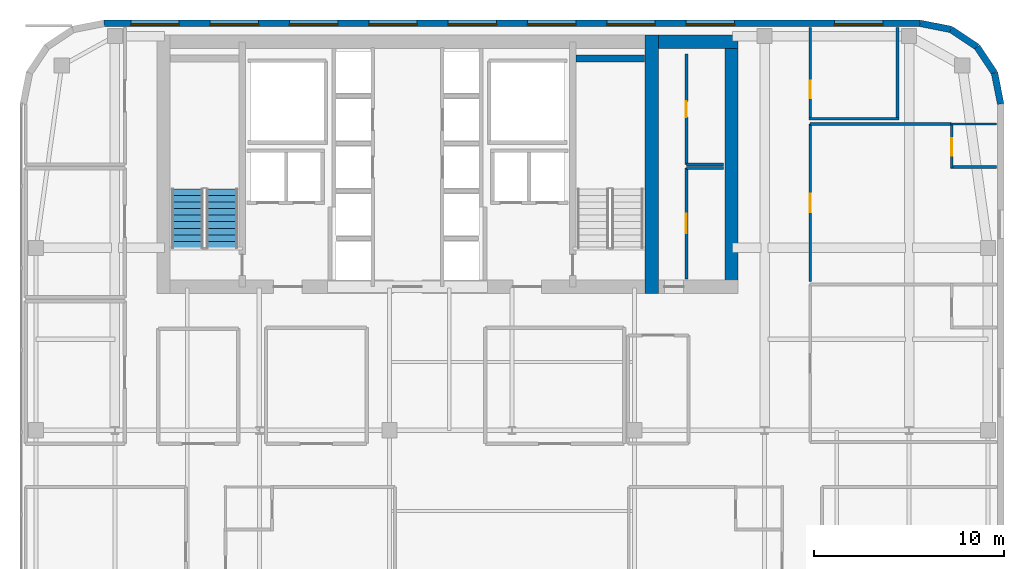
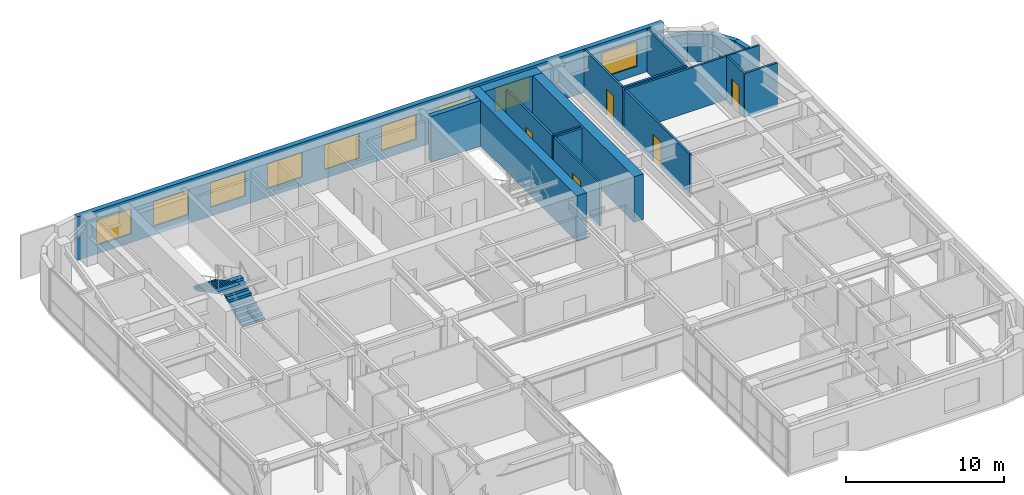
# One storey, part 22 of 24: 21 walls, 9 windows, 5 doors, 2 stair flights, 14 openings, 1 element without a shape of its own.
"""IFC4 building model written with IfcOpenShell, lengths in metres."""

from ifc_helpers import new_model, si_unit, direction, frame, frame_2d, origin, place, context, subcontext, project, spatial, polyline, rectangle, outline, extrude, source, transform, mapped, material, layer, layer_set, type_object, type_shapes, element, fill, aggregate, save


model = new_model("IFC4")

# Units and contexts
model_context = context("Model", 3, precision=1e-05, world=origin(), true_north=direction((0.0, 1.0)))
body_context = subcontext(model_context, "Body", "Model", "MODEL_VIEW")
ifc_project = project(units=[si_unit("LENGTHUNIT", "METRE"), si_unit("AREAUNIT", "SQUARE_METRE"), si_unit("VOLUMEUNIT", "CUBIC_METRE"), si_unit("PLANEANGLEUNIT", "RADIAN"), si_unit("MASSUNIT", "GRAM", prefix="KILO")], contexts=[model_context])

# Site, building, storey
site_placement = place(None, origin())
site = spatial("IfcSite", under=ifc_project, at=site_placement, CompositionType="ELEMENT")
building_placement = place(site_placement, origin())
building = spatial("IfcBuilding", under=site, at=building_placement, Name="Tolvann Quenvar Hotel", CompositionType="ELEMENT")
storey_placement = place(building_placement, frame((0.0, 0.0, 194.64990234375)))
storey = spatial("IfcBuildingStorey", under=building, at=storey_placement, Name="L51", CompositionType="ELEMENT", Elevation=194.64990234375)

# Walls
ifc_material_1 = material(Name="Concrete S65 (65 MPa)", Category="concrete")
ifc_layer_1 = layer(ifc_material_1, 0.699951171875)
ifc_layer_set_1 = layer_set([ifc_layer_1], Name="Concrete S65 (65 MPa)")
wall_type_1 = type_object("IfcWallType", Name="WALL_CORE_700", PredefinedType="SHEAR", material=ifc_layer_set_1)
wall_1_placement = place(storey_placement, frame((35.85009765625, 31.60009765625, 0.0), z_axis=(0.0, 0.0, 1.0), x_axis=(0.0, 1.0, 0.0)))
element("IfcWall", 1, at=wall_1_placement, inside=storey, type_object=wall_type_1, Name="Rear Core E Shear Wall (L51)", PredefinedType="SHEAR", context=body_context, shape_type="SweptSolid", body=[
    extrude(rectangle(XDim=13.599853515625, YDim=0.699951171875, at=frame_2d((6.7998046875, 0.0))), origin(), (0.0, 0.0, 1.0), 3.550048828125),
])
wall_2_placement = place(storey_placement, frame((36.199951171875, 44.85009765625, 0.0), z_axis=(0.0, 0.0, 1.0), x_axis=(1.0, 0.0, 0.0)))
element("IfcWall", 2, at=wall_2_placement, inside=storey, type_object=wall_type_1, Name="Core East Annex Shear Wall ANN-N (L51)", PredefinedType="SHEAR", context=body_context, shape_type="SweptSolid", body=[
    extrude(rectangle(XDim=4.199951171875, YDim=0.699951171875, at=frame_2d((2.10009765625, 0.0))), origin(), (0.0, 0.0, 1.0), 3.550048828125),
])
wall_3_placement = place(storey_placement, frame((40.050048828125, 31.60009765625, 0.0), z_axis=(0.0, 0.0, 1.0), x_axis=(0.0, 1.0, 0.0)))
element("IfcWall", 3, at=wall_3_placement, inside=storey, type_object=wall_type_1, Name="Core East Annex Shear Wall ANN-E (L51)", PredefinedType="SHEAR", context=body_context, shape_type="SweptSolid", body=[
    extrude(rectangle(XDim=13.599853515625, YDim=0.699951171875, at=frame_2d((6.7998046875, 0.0))), origin(), (0.0, 0.0, 1.0), 3.550048828125),
])
ifc_layer_2 = layer(ifc_material_1, 0.35009765625)
ifc_layer_set_2 = layer_set([ifc_layer_2], Name="Concrete S65 (65 MPa)")
wall_type_2 = type_object("IfcWallType", Name="WALL_CORE_INT_350", PredefinedType="SHEAR", material=ifc_layer_set_2)
wall_4_placement = place(storey_placement, frame((31.8798828125, 43.97509765625, 0.0), z_axis=(0.0, 0.0, 1.0), x_axis=(1.0, 0.0, 0.0)))
element("IfcWall", 4, at=wall_4_placement, inside=storey, type_object=wall_type_2, Name="Core Stair North Closing Shear Wall STC2-N (L51)", PredefinedType="SHEAR", context=body_context, shape_type="SweptSolid", body=[
    extrude(rectangle(XDim=3.60009765625, YDim=0.35009765625, at=frame_2d((1.800048828125, 0.0))), origin(), (0.0, 0.0, 1.0), 3.550048828125),
])
ifc_material_2 = material(Name="Kiln-fired red and buff architectural clay brickwork and terracotta masonry", Category="masonry")
ifc_layer_3 = layer(ifc_material_2, 0.35009765625)
ifc_layer_set_3 = layer_set([ifc_layer_3], Name="Kiln-fired red and buff architectural clay brickwork and terracotta masonry")
wall_type_3 = type_object("IfcWallType", Name="WALL_EXT_BRICK_350", PredefinedType="SOLIDWALL", material=ifc_layer_set_3)
wall_5_placement = place(storey_placement, frame((54.22509765625, 41.582763671875, 0.0), z_axis=(0.0, 0.0, 1.0), x_axis=(-0.195044345786, 0.980794424524, 0.0)))
element("IfcWall", 5, at=wall_5_placement, inside=storey, type_object=wall_type_3, Name="Exterior Chicago Brick Wall L51-E14", PredefinedType="SOLIDWALL", context=body_context, shape_type="SweptSolid", body=[
    extrude(rectangle(XDim=1.664794921875, YDim=0.35009765625, at=frame_2d((0.83251953125, 0.0))), origin(), (0.0, 0.0, 1.0), 2.16015625),
])
for number, where, z_axis, x_axis, name in (
    (6, (53.900390625, 43.215576171875, 0.0), (0.0, 0.0, 1.0), (-0.555623290322, 0.831434158098, 0.0), "Exterior Chicago Brick Wall L51-E15"),
    (7, (52.985107421875, 44.585205078125, 0.0), (0.0, 0.0, 1.0), (-0.831502623162, 0.555520825599, 0.0), "Exterior Chicago Brick Wall L51-E16"),
):
    element("IfcWall", number, at=place(storey_placement, frame(where, z_axis=z_axis, x_axis=x_axis)), inside=storey, type_object=wall_type_3, Name=name, PredefinedType="SOLIDWALL", context=body_context, shape_type="SweptSolid", body=[
        extrude(rectangle(XDim=1.647216796875, YDim=0.35009765625, at=frame_2d((0.82373046875, 0.0))), origin(), (0.0, 0.0, 1.0), 2.16015625),
    ])
wall_6_placement = place(storey_placement, frame((51.615478515625, 45.500244140625, 0.0), z_axis=(0.0, 0.0, 1.0), x_axis=(-0.980788844421, 0.195072403631, 0.0)))
element("IfcWall", 8, at=wall_6_placement, inside=storey, type_object=wall_type_3, Name="Exterior Chicago Brick Wall L51-E17", PredefinedType="SOLIDWALL", context=body_context, shape_type="SweptSolid", body=[
    extrude(rectangle(XDim=1.66455078125, YDim=0.35009765625, at=frame_2d((0.832275390625, 0.0))), origin(), (0.0, 0.0, 1.0), 2.16015625),
])

# Wall, openings, windows
wall_7_placement = place(storey_placement, frame((49.98291015625, 45.824951171875, 0.0), z_axis=(0.0, 0.0, 1.0), x_axis=(-1.0, 0.0, 0.0)))
wall_7 = element("IfcWall", 9, at=wall_7_placement, inside=storey, type_object=wall_type_3, Name="Exterior Chicago Brick Wall L51-E18", PredefinedType="SOLIDWALL", context=body_context, shape_type="SweptSolid", body=[
    extrude(rectangle(XDim=42.9658203125, YDim=0.35009765625, at=frame_2d((21.48291015625, 0.0))), origin(), (0.0, 0.0, 1.0), 3.3701171875),
])
opening_1_placement = place(wall_7_placement, frame((1.962890625, 0.0, 0.679931640625)))
opening_1 = element("IfcOpeningElement", 10, at=opening_1_placement, cuts=wall_7, Name="Opening W-09", PredefinedType="OPENING", context=body_context, shape_type="SweptSolid", body=[
    extrude(rectangle(XDim=2.550048828125, YDim=1.919921875, at=frame_2d((1.27490234375, 0.9599609375))), frame((0.0, 0.18505859375, 0.0), z_axis=(0.0, -1.0, 0.0), x_axis=(1.0, 0.0, 0.0)), (0.0, 0.0, 1.0), 0.3701171875),
])
opening_2_placement = place(wall_7_placement, frame((9.76611328125, 0.0, 0.679931640625)))
opening_2 = element("IfcOpeningElement", 11, at=opening_2_placement, cuts=wall_7, Name="Opening W-09", PredefinedType="OPENING", context=body_context, shape_type="SweptSolid", body=[
    extrude(rectangle(XDim=2.550048828125, YDim=1.919921875, at=frame_2d((1.27490234375, 0.9599609375))), frame((0.0, 0.18505859375, 0.0), z_axis=(0.0, -1.0, 0.0), x_axis=(1.0, 0.0, 0.0)), (0.0, 0.0, 1.0), 0.3701171875),
])
opening_3_placement = place(wall_7_placement, frame((13.943115234375, 0.0, 0.679931640625)))
opening_3 = element("IfcOpeningElement", 12, at=opening_3_placement, cuts=wall_7, Name="Opening W-09", PredefinedType="OPENING", context=body_context, shape_type="SweptSolid", body=[
    extrude(rectangle(XDim=2.550048828125, YDim=1.919921875, at=frame_2d((1.27490234375, 0.9599609375))), frame((0.0, 0.18505859375, 0.0), z_axis=(0.0, -1.0, 0.0), x_axis=(1.0, 0.0, 0.0)), (0.0, 0.0, 1.0), 0.3701171875),
])
opening_4_placement = place(wall_7_placement, frame((18.1201171875, 0.0, 0.679931640625)))
opening_4 = element("IfcOpeningElement", 13, at=opening_4_placement, cuts=wall_7, Name="Opening W-09", PredefinedType="OPENING", context=body_context, shape_type="SweptSolid", body=[
    extrude(rectangle(XDim=2.550048828125, YDim=1.919921875, at=frame_2d((1.27490234375, 0.9599609375))), frame((0.0, 0.18505859375, 0.0), z_axis=(0.0, -1.0, 0.0), x_axis=(1.0, 0.0, 0.0)), (0.0, 0.0, 1.0), 0.3701171875),
])
opening_5_placement = place(wall_7_placement, frame((22.2958984375, 0.0, 0.679931640625)))
opening_5 = element("IfcOpeningElement", 14, at=opening_5_placement, cuts=wall_7, Name="Opening W-09", PredefinedType="OPENING", context=body_context, shape_type="SweptSolid", body=[
    extrude(rectangle(XDim=2.550048828125, YDim=1.919921875, at=frame_2d((1.27490234375, 0.9599609375))), frame((0.0, 0.18505859375, 0.0), z_axis=(0.0, -1.0, 0.0), x_axis=(1.0, 0.0, 0.0)), (0.0, 0.0, 1.0), 0.3701171875),
])
opening_6_placement = place(wall_7_placement, frame((26.472900390625, 0.0, 0.679931640625)))
opening_6 = element("IfcOpeningElement", 15, at=opening_6_placement, cuts=wall_7, Name="Opening W-09", PredefinedType="OPENING", context=body_context, shape_type="SweptSolid", body=[
    extrude(rectangle(XDim=2.550048828125, YDim=1.919921875, at=frame_2d((1.27490234375, 0.9599609375))), frame((0.0, 0.18505859375, 0.0), z_axis=(0.0, -1.0, 0.0), x_axis=(1.0, 0.0, 0.0)), (0.0, 0.0, 1.0), 0.3701171875),
])
opening_7_placement = place(wall_7_placement, frame((30.64892578125, 0.0, 0.679931640625)))
opening_7 = element("IfcOpeningElement", 16, at=opening_7_placement, cuts=wall_7, Name="Opening W-09", PredefinedType="OPENING", context=body_context, shape_type="SweptSolid", body=[
    extrude(rectangle(XDim=2.550048828125, YDim=1.919921875, at=frame_2d((1.27490234375, 0.9599609375))), frame((0.0, 0.18505859375, 0.0), z_axis=(0.0, -1.0, 0.0), x_axis=(1.0, 0.0, 0.0)), (0.0, 0.0, 1.0), 0.3701171875),
])
opening_8_placement = place(wall_7_placement, frame((34.825927734375, 0.0, 0.679931640625)))
opening_8 = element("IfcOpeningElement", 17, at=opening_8_placement, cuts=wall_7, Name="Opening W-09", PredefinedType="OPENING", context=body_context, shape_type="SweptSolid", body=[
    extrude(rectangle(XDim=2.550048828125, YDim=1.919921875, at=frame_2d((1.27490234375, 0.9599609375))), frame((0.0, 0.18505859375, 0.0), z_axis=(0.0, -1.0, 0.0), x_axis=(1.0, 0.0, 0.0)), (0.0, 0.0, 1.0), 0.3701171875),
])
opening_9_placement = place(wall_7_placement, frame((39.001953125, 0.0, 0.679931640625)))
opening_9 = element("IfcOpeningElement", 18, at=opening_9_placement, cuts=wall_7, Name="Opening W-09", PredefinedType="OPENING", context=body_context, shape_type="SweptSolid", body=[
    extrude(rectangle(XDim=2.550048828125, YDim=1.919921875, at=frame_2d((1.27490234375, 0.9599609375))), frame((0.0, 0.18505859375, 0.0), z_axis=(0.0, -1.0, 0.0), x_axis=(1.0, 0.0, 0.0)), (0.0, 0.0, 1.0), 0.3701171875),
])
ifc_material_3 = material(Name="Thermally broken bronze-anodised aluminium frame with double low-E glazing", Category="aluminium")
window_type = type_object("IfcWindowType", Name="WIN_LNG_2550x1950", PartitioningType="TRIPLE_PANEL_HORIZONTAL", PredefinedType="WINDOW", material=ifc_material_3)
shared_shape_1 = source(origin(), body_context, "Body", "SweptSolid", [
    extrude(rectangle(XDim=2.550048828125, YDim=1.919921875, at=frame_2d((1.27490234375, 0.9599609375))), frame((0.0, 0.090087890625, 0.0), z_axis=(0.0, -1.0, 0.0), x_axis=(1.0, 0.0, 0.0)), (0.0, 0.0, 1.0), 0.06005859375),
])
type_shapes(window_type, [shared_shape_1])
window_1_placement = place(opening_1_placement, origin())
window_1 = element("IfcWindow", 19, at=window_1_placement, inside=storey, type_object=window_type, Name="Chicago Window W-09 (EW-L51-E18-W01)", OverallHeight=1.919921875, OverallWidth=2.550048828125, PartitioningType="TRIPLE_PANEL_HORIZONTAL", PredefinedType="WINDOW", context=body_context, shape_type="MappedRepresentation", body=[
    mapped(shared_shape_1, transform((0.0, 0.0, 0.0), x_axis=(1.0, 0.0, 0.0), y_axis=(0.0, 1.0, 0.0), z_axis=(0.0, 0.0, 1.0), scale=1.0)),
])
fill(opening_1, window_1)
window_2_placement = place(opening_2_placement, origin())
window_2 = element("IfcWindow", 20, at=window_2_placement, inside=storey, type_object=window_type, Name="Chicago Window W-09 (EW-L51-E18-W02)", OverallHeight=1.919921875, OverallWidth=2.550048828125, PartitioningType="TRIPLE_PANEL_HORIZONTAL", PredefinedType="WINDOW", context=body_context, shape_type="MappedRepresentation", body=[
    mapped(shared_shape_1, transform((0.0, 0.0, 0.0), x_axis=(1.0, 0.0, 0.0), y_axis=(0.0, 1.0, 0.0), z_axis=(0.0, 0.0, 1.0), scale=1.0)),
])
fill(opening_2, window_2)
window_3_placement = place(opening_3_placement, origin())
window_3 = element("IfcWindow", 21, at=window_3_placement, inside=storey, type_object=window_type, Name="Chicago Window W-09 (EW-L51-E18-W03)", OverallHeight=1.919921875, OverallWidth=2.550048828125, PartitioningType="TRIPLE_PANEL_HORIZONTAL", PredefinedType="WINDOW", context=body_context, shape_type="MappedRepresentation", body=[
    mapped(shared_shape_1, transform((0.0, 0.0, 0.0), x_axis=(1.0, 0.0, 0.0), y_axis=(0.0, 1.0, 0.0), z_axis=(0.0, 0.0, 1.0), scale=1.0)),
])
fill(opening_3, window_3)
window_4_placement = place(opening_4_placement, origin())
window_4 = element("IfcWindow", 22, at=window_4_placement, inside=storey, type_object=window_type, Name="Chicago Window W-09 (EW-L51-E18-W04)", OverallHeight=1.919921875, OverallWidth=2.550048828125, PartitioningType="TRIPLE_PANEL_HORIZONTAL", PredefinedType="WINDOW", context=body_context, shape_type="MappedRepresentation", body=[
    mapped(shared_shape_1, transform((0.0, 0.0, 0.0), x_axis=(1.0, 0.0, 0.0), y_axis=(0.0, 1.0, 0.0), z_axis=(0.0, 0.0, 1.0), scale=1.0)),
])
fill(opening_4, window_4)
window_5_placement = place(opening_5_placement, origin())
window_5 = element("IfcWindow", 23, at=window_5_placement, inside=storey, type_object=window_type, Name="Chicago Window W-09 (EW-L51-E18-W05)", OverallHeight=1.919921875, OverallWidth=2.550048828125, PartitioningType="TRIPLE_PANEL_HORIZONTAL", PredefinedType="WINDOW", context=body_context, shape_type="MappedRepresentation", body=[
    mapped(shared_shape_1, transform((0.0, 0.0, 0.0), x_axis=(1.0, 0.0, 0.0), y_axis=(0.0, 1.0, 0.0), z_axis=(0.0, 0.0, 1.0), scale=1.0)),
])
fill(opening_5, window_5)
window_6_placement = place(opening_6_placement, origin())
window_6 = element("IfcWindow", 24, at=window_6_placement, inside=storey, type_object=window_type, Name="Chicago Window W-09 (EW-L51-E18-W06)", OverallHeight=1.919921875, OverallWidth=2.550048828125, PartitioningType="TRIPLE_PANEL_HORIZONTAL", PredefinedType="WINDOW", context=body_context, shape_type="MappedRepresentation", body=[
    mapped(shared_shape_1, transform((0.0, 0.0, 0.0), x_axis=(1.0, 0.0, 0.0), y_axis=(0.0, 1.0, 0.0), z_axis=(0.0, 0.0, 1.0), scale=1.0)),
])
fill(opening_6, window_6)
window_7_placement = place(opening_7_placement, origin())
window_7 = element("IfcWindow", 25, at=window_7_placement, inside=storey, type_object=window_type, Name="Chicago Window W-09 (EW-L51-E18-W07)", OverallHeight=1.919921875, OverallWidth=2.550048828125, PartitioningType="TRIPLE_PANEL_HORIZONTAL", PredefinedType="WINDOW", context=body_context, shape_type="MappedRepresentation", body=[
    mapped(shared_shape_1, transform((0.0, 0.0, 0.0), x_axis=(1.0, 0.0, 0.0), y_axis=(0.0, 1.0, 0.0), z_axis=(0.0, 0.0, 1.0), scale=1.0)),
])
fill(opening_7, window_7)
window_8_placement = place(opening_8_placement, origin())
window_8 = element("IfcWindow", 26, at=window_8_placement, inside=storey, type_object=window_type, Name="Chicago Window W-09 (EW-L51-E18-W08)", OverallHeight=1.919921875, OverallWidth=2.550048828125, PartitioningType="TRIPLE_PANEL_HORIZONTAL", PredefinedType="WINDOW", context=body_context, shape_type="MappedRepresentation", body=[
    mapped(shared_shape_1, transform((0.0, 0.0, 0.0), x_axis=(1.0, 0.0, 0.0), y_axis=(0.0, 1.0, 0.0), z_axis=(0.0, 0.0, 1.0), scale=1.0)),
])
fill(opening_8, window_8)
window_9_placement = place(opening_9_placement, origin())
window_9 = element("IfcWindow", 27, at=window_9_placement, inside=storey, type_object=window_type, Name="Chicago Window W-09 (EW-L51-E18-W09)", OverallHeight=1.919921875, OverallWidth=2.550048828125, PartitioningType="TRIPLE_PANEL_HORIZONTAL", PredefinedType="WINDOW", context=body_context, shape_type="MappedRepresentation", body=[
    mapped(shared_shape_1, transform((0.0, 0.0, 0.0), x_axis=(1.0, 0.0, 0.0), y_axis=(0.0, 1.0, 0.0), z_axis=(0.0, 0.0, 1.0), scale=1.0)),
])
fill(opening_9, window_9)

# Wall
ifc_material_4 = material(Name="Moisture-resistant acoustic plumbing wall assembly")
ifc_layer_4 = layer(ifc_material_4, 0.1201171875)
ifc_layer_set_4 = layer_set([ifc_layer_4], Name="Moisture-resistant acoustic plumbing wall assembly")
wall_type_4 = type_object("IfcWallType", Name="WALL_PART_BATH_120", PredefinedType="PLUMBINGWALL", material=ifc_layer_set_4)
wall_8_placement = place(storey_placement, frame((51.580078125, 40.52001953125, 0.0), z_axis=(0.0, 0.0, 1.0), x_axis=(1.0, 0.0, 0.0)))
element("IfcWall", 28, at=wall_8_placement, inside=storey, type_object=wall_type_4, Name="Non-Rated Plumbing Partition PT-SPC-L51-ENS-NE02-N", PredefinedType="PLUMBINGWALL", context=body_context, shape_type="SweptSolid", body=[
    extrude(rectangle(XDim=2.4150390625, YDim=0.1201171875, at=frame_2d((1.20751953125, 0.0))), origin(), (0.0, 0.0, 1.0), 3.3701171875),
])

# Wall, opening, door
ifc_material_5 = material(Name="Acoustic twin-stud fire-rated gypsum plasterboard partition")
ifc_layer_5 = layer(ifc_material_5, 0.14990234375)
ifc_layer_set_5 = layer_set([ifc_layer_5], Name="Acoustic twin-stud fire-rated gypsum plasterboard partition")
wall_type_5 = type_object("IfcWallType", Name="WALL_PART_SUITE_150", PredefinedType="PARTITIONING", material=ifc_layer_set_5)
wall_9_placement = place(storey_placement, frame((51.64990234375, 38.199951171875, 0.0), z_axis=(0.0, 0.0, 1.0), x_axis=(0.0, 1.0, 0.0)))
wall_9 = element("IfcWall", 29, at=wall_9_placement, inside=storey, type_object=wall_type_5, Name="Interior Partition PT-SPC-L51-ENS-NE02-ENT", PredefinedType="PARTITIONING", context=body_context, shape_type="SweptSolid", body=[
    extrude(rectangle(XDim=2.39013671875, YDim=0.14990234375, at=frame_2d((1.195068359375, 0.0))), origin(), (0.0, 0.0, 1.0), 3.3701171875),
])
opening_10_placement = place(wall_9_placement, frame((0.6650390625, 0.0, 0.0)))
opening_10 = element("IfcOpeningElement", 30, at=opening_10_placement, cuts=wall_9, Name="Opening WD-01", PredefinedType="OPENING", context=body_context, shape_type="SweptSolid", body=[
    extrude(rectangle(XDim=0.919921875, YDim=2.010009765625, at=frame_2d((0.4599609375, 1.0048828125))), frame((0.0, 0.0849609375, 0.0), z_axis=(0.0, -1.0, 0.0), x_axis=(1.0, 0.0, 0.0)), (0.0, 0.0, 1.0), 0.169921875),
])
ifc_material_6 = material(Name="Solid-core American oak acoustic fire door leaf in steel frame", Category="steel")
door_type_1 = type_object("IfcDoorType", Name="DOOR_WC_920", OperationType="NOTDEFINED", PredefinedType="DOOR", material=ifc_material_6)
shared_shape_2 = source(origin(), body_context, "Body", "SweptSolid", [
    extrude(rectangle(XDim=0.919921875, YDim=2.010009765625, at=frame_2d((0.4599609375, 1.0048828125))), frame((0.0, 0.02490234375, 0.0), z_axis=(0.0, -1.0, 0.0), x_axis=(1.0, 0.0, 0.0)), (0.0, 0.0, 1.0), 0.050048828125),
])
type_shapes(door_type_1, [shared_shape_2])
door_1_placement = place(opening_10_placement, origin())
door_1 = element("IfcDoor", 31, at=door_1_placement, inside=storey, type_object=door_type_1, Name="Interior Door DOOR-SPC-L51-ENS-NE02", OperationType="SINGLE_SWING_LEFT", OverallHeight=2.010009765625, OverallWidth=0.919921875, PredefinedType="DOOR", context=body_context, shape_type="MappedRepresentation", body=[
    mapped(shared_shape_2, transform((0.0, 0.0, 0.0), x_axis=(1.0, 0.0, 0.0), y_axis=(0.0, 1.0, 0.0), z_axis=(0.0, 0.0, 1.0), scale=1.0)),
])
fill(opening_10, door_1)

# Walls
wall_10_placement = place(storey_placement, frame((51.580078125, 38.27001953125, 0.0), z_axis=(0.0, 0.0, 1.0), x_axis=(1.0, 0.0, 0.0)))
element("IfcWall", 32, at=wall_10_placement, inside=storey, type_object=wall_type_5, Name="Interior Partition PT-SPC-L51-ENS-NE02-S", PredefinedType="PARTITIONING", context=body_context, shape_type="SweptSolid", body=[
    extrude(rectangle(XDim=2.4150390625, YDim=0.14990234375, at=frame_2d((1.20751953125, 0.0))), origin(), (0.0, 0.0, 1.0), 3.3701171875),
])
wall_11_placement = place(storey_placement, frame((37.679931640625, 38.199951171875, 0.0), z_axis=(0.0, 0.0, 1.0), x_axis=(1.0, 0.0, 0.0)))
element("IfcWall", 33, at=wall_11_placement, inside=storey, type_object=wall_type_5, Name="Interior Partition PT-SPC-L51-RECPL-1-N", PredefinedType="PARTITIONING", context=body_context, shape_type="SweptSolid", body=[
    extrude(rectangle(XDim=1.965087890625, YDim=0.14990234375, at=frame_2d((0.982421875, 0.0))), origin(), (0.0, 0.0, 1.0), 3.3701171875),
])

# Wall, opening, door
wall_12_placement = place(storey_placement, frame((37.679931640625, 32.35498046875, 0.0), z_axis=(0.0, 0.0, 1.0), x_axis=(0.0, 1.0, 0.0)))
wall_12 = element("IfcWall", 34, at=wall_12_placement, inside=storey, type_object=wall_type_5, Name="Interior Partition PT-SPC-L51-RECPL-1-W", PredefinedType="PARTITIONING", context=body_context, shape_type="SweptSolid", body=[
    extrude(rectangle(XDim=5.844970703125, YDim=0.14990234375, at=frame_2d((2.92236328125, 0.0))), origin(), (0.0, 0.0, 1.0), 3.3701171875),
])
opening_11_placement = place(wall_12_placement, frame((2.41259765625, 0.0, 0.0)))
opening_11 = element("IfcOpeningElement", 35, at=opening_11_placement, cuts=wall_12, Name="Opening HD-01", PredefinedType="OPENING", context=body_context, shape_type="SweptSolid", body=[
    extrude(rectangle(XDim=1.02001953125, YDim=2.030029296875, at=frame_2d((0.510009765625, 1.01513671875))), frame((0.0, 0.0849609375, 0.0), z_axis=(0.0, -1.0, 0.0), x_axis=(1.0, 0.0, 0.0)), (0.0, 0.0, 1.0), 0.169921875),
])
ifc_material_7 = material(Name="Pressed galvanised steel fire-rated door set", Category="steel")
door_type_2 = type_object("IfcDoorType", Name="DOOR_BOH_1020", OperationType="NOTDEFINED", PredefinedType="DOOR", material=ifc_material_7)
shared_shape_3 = source(origin(), body_context, "Body", "SweptSolid", [
    extrude(rectangle(XDim=1.02001953125, YDim=2.030029296875, at=frame_2d((0.510009765625, 1.01513671875))), frame((0.0, 0.02490234375, 0.0), z_axis=(0.0, -1.0, 0.0), x_axis=(1.0, 0.0, 0.0)), (0.0, 0.0, 1.0), 0.050048828125),
])
type_shapes(door_type_2, [shared_shape_3])
door_2_placement = place(opening_11_placement, origin())
door_2 = element("IfcDoor", 36, at=door_2_placement, inside=storey, type_object=door_type_2, Name="Interior Door DOOR-SPC-L51-RECPL-1", OperationType="SINGLE_SWING_RIGHT", OverallHeight=2.030029296875, OverallWidth=1.02001953125, PredefinedType="DOOR", context=body_context, shape_type="MappedRepresentation", body=[
    mapped(shared_shape_3, transform((0.0, 0.0, 0.0), x_axis=(1.0, 0.0, 0.0), y_axis=(0.0, 1.0, 0.0), z_axis=(0.0, 0.0, 1.0), scale=1.0)),
])
fill(opening_11, door_2)

# Wall
wall_13_placement = place(storey_placement, frame((37.679931640625, 38.39990234375, 0.0), z_axis=(0.0, 0.0, 1.0), x_axis=(1.0, 0.0, 0.0)))
element("IfcWall", 37, at=wall_13_placement, inside=storey, type_object=wall_type_5, Name="Interior Partition PT-SPC-L51-CSE-1-S", PredefinedType="PARTITIONING", context=body_context, shape_type="SweptSolid", body=[
    extrude(rectangle(XDim=1.965087890625, YDim=0.14990234375, at=frame_2d((0.982421875, 0.0))), origin(), (0.0, 0.0, 1.0), 3.3701171875),
])

# Wall, opening, door
wall_14_placement = place(storey_placement, frame((37.679931640625, 38.39990234375, 0.0), z_axis=(0.0, 0.0, 1.0), x_axis=(0.0, 1.0, 0.0)))
wall_14 = element("IfcWall", 38, at=wall_14_placement, inside=storey, type_object=wall_type_5, Name="Interior Partition PT-SPC-L51-CSE-1-W", PredefinedType="PARTITIONING", context=body_context, shape_type="SweptSolid", body=[
    extrude(rectangle(XDim=5.800048828125, YDim=0.14990234375, at=frame_2d((2.89990234375, 0.0))), origin(), (0.0, 0.0, 1.0), 3.3701171875),
])
opening_12_placement = place(wall_14_placement, frame((2.489990234375, 0.0, 0.0)))
opening_12 = element("IfcOpeningElement", 39, at=opening_12_placement, cuts=wall_14, Name="Opening HD-02", PredefinedType="OPENING", context=body_context, shape_type="SweptSolid", body=[
    extrude(rectangle(XDim=0.820068359375, YDim=2.010009765625, at=frame_2d((0.41015625, 1.0048828125))), frame((0.0, 0.0849609375, 0.0), z_axis=(0.0, -1.0, 0.0), x_axis=(1.0, 0.0, 0.0)), (0.0, 0.0, 1.0), 0.169921875),
])
door_type_3 = type_object("IfcDoorType", Name="DOOR_STORE_820", OperationType="NOTDEFINED", PredefinedType="DOOR", material=ifc_material_7)
shared_shape_4 = source(origin(), body_context, "Body", "SweptSolid", [
    extrude(rectangle(XDim=0.820068359375, YDim=2.010009765625, at=frame_2d((0.41015625, 1.0048828125))), frame((0.0, 0.02490234375, 0.0), z_axis=(0.0, -1.0, 0.0), x_axis=(1.0, 0.0, 0.0)), (0.0, 0.0, 1.0), 0.050048828125),
])
type_shapes(door_type_3, [shared_shape_4])
door_3_placement = place(opening_12_placement, origin())
door_3 = element("IfcDoor", 40, at=door_3_placement, inside=storey, type_object=door_type_3, Name="Interior Door DOOR-SPC-L51-CSE-1", OperationType="SINGLE_SWING_LEFT", OverallHeight=2.010009765625, OverallWidth=0.820068359375, PredefinedType="DOOR", context=body_context, shape_type="MappedRepresentation", body=[
    mapped(shared_shape_4, transform((0.0, 0.0, 0.0), x_axis=(1.0, 0.0, 0.0), y_axis=(0.0, 1.0, 0.0), z_axis=(0.0, 0.0, 1.0), scale=1.0)),
])
fill(opening_12, door_3)

wall_15_placement = place(storey_placement, frame((44.199951171875, 32.22998046875, 0.0), z_axis=(0.0, 0.0, 1.0), x_axis=(0.0, 1.0, 0.0)))
wall_15 = element("IfcWall", 41, at=wall_15_placement, inside=storey, type_object=wall_type_5, Name="Interior Partition PT-SPC-L51-RM-NE02-ENT", PredefinedType="PARTITIONING", context=body_context, shape_type="SweptSolid", body=[
    extrude(rectangle(XDim=8.2900390625, YDim=0.14990234375, at=frame_2d((4.14501953125, 0.0))), origin(), (0.0, 0.0, 1.0), 3.3701171875),
])
opening_13_placement = place(wall_15_placement, frame((3.655029296875, 0.0, 0.0)))
opening_13 = element("IfcOpeningElement", 42, at=opening_13_placement, cuts=wall_15, Name="Opening SD-01", PredefinedType="OPENING", context=body_context, shape_type="SweptSolid", body=[
    extrude(rectangle(XDim=0.97998046875, YDim=2.1201171875, at=frame_2d((0.489990234375, 1.06005859375))), frame((0.0, 0.0849609375, 0.0), z_axis=(0.0, -1.0, 0.0), x_axis=(1.0, 0.0, 0.0)), (0.0, 0.0, 1.0), 0.169921875),
])
door_type_4 = type_object("IfcDoorType", Name="DOOR_SUITE_980", OperationType="NOTDEFINED", PredefinedType="DOOR", material=ifc_material_6)
shared_shape_5 = source(origin(), body_context, "Body", "SweptSolid", [
    extrude(rectangle(XDim=0.97998046875, YDim=2.1201171875, at=frame_2d((0.489990234375, 1.06005859375))), frame((0.0, 0.02490234375, 0.0), z_axis=(0.0, -1.0, 0.0), x_axis=(1.0, 0.0, 0.0)), (0.0, 0.0, 1.0), 0.050048828125),
])
type_shapes(door_type_4, [shared_shape_5])
door_4_placement = place(opening_13_placement, origin())
door_4 = element("IfcDoor", 43, at=door_4_placement, inside=storey, type_object=door_type_4, Name="Interior Door DOOR-SPC-L51-RM-NE02", OperationType="SINGLE_SWING_LEFT", OverallHeight=2.1201171875, OverallWidth=0.97998046875, PredefinedType="DOOR", context=body_context, shape_type="MappedRepresentation", body=[
    mapped(shared_shape_5, transform((0.0, 0.0, 0.0), x_axis=(1.0, 0.0, 0.0), y_axis=(0.0, 1.0, 0.0), z_axis=(0.0, 0.0, 1.0), scale=1.0)),
])
fill(opening_13, door_4)

# Wall
wall_16_placement = place(storey_placement, frame((44.199951171875, 40.52001953125, 0.0), z_axis=(0.0, 0.0, 1.0), x_axis=(1.0, 0.0, 0.0)))
element("IfcWall", 44, at=wall_16_placement, inside=storey, type_object=wall_type_5, Name="Interior Partition PT-SPC-L51-RM-NE02-E5", PredefinedType="PARTITIONING", context=body_context, shape_type="SweptSolid", body=[
    extrude(rectangle(XDim=7.429931640625, YDim=0.14990234375, at=frame_2d((3.71484375, 0.0))), origin(), (0.0, 0.0, 1.0), 3.3701171875),
])

# Wall, opening, door
wall_17_placement = place(storey_placement, frame((44.199951171875, 40.72998046875, 0.0), z_axis=(0.0, 0.0, 1.0), x_axis=(0.0, 1.0, 0.0)))
wall_17 = element("IfcWall", 45, at=wall_17_placement, inside=storey, type_object=wall_type_5, Name="Interior Partition PT-SPC-L51-WCA-ENT", PredefinedType="PARTITIONING", context=body_context, shape_type="SweptSolid", body=[
    extrude(rectangle(XDim=4.864990234375, YDim=0.14990234375, at=frame_2d((2.4326171875, 0.0))), origin(), (0.0, 0.0, 1.0), 3.3701171875),
])
opening_14_placement = place(wall_17_placement, frame((1.139892578125, 0.0, 0.0)))
opening_14 = element("IfcOpeningElement", 46, at=opening_14_placement, cuts=wall_17, Name="Opening WD-01", PredefinedType="OPENING", context=body_context, shape_type="SweptSolid", body=[
    extrude(rectangle(XDim=0.919921875, YDim=2.010009765625, at=frame_2d((0.4599609375, 1.0048828125))), frame((0.0, 0.0849609375, 0.0), z_axis=(0.0, -1.0, 0.0), x_axis=(1.0, 0.0, 0.0)), (0.0, 0.0, 1.0), 0.169921875),
])
door_5_placement = place(opening_14_placement, origin())
door_5 = element("IfcDoor", 47, at=door_5_placement, inside=storey, type_object=door_type_1, Name="Interior Door DOOR-SPC-L51-WCA", OperationType="SINGLE_SWING_RIGHT", OverallHeight=2.010009765625, OverallWidth=0.919921875, PredefinedType="DOOR", context=body_context, shape_type="MappedRepresentation", body=[
    mapped(shared_shape_2, transform((0.0, 0.0, 0.0), x_axis=(1.0, 0.0, 0.0), y_axis=(0.0, 1.0, 0.0), z_axis=(0.0, 0.0, 1.0), scale=1.0)),
])
fill(opening_14, door_5)

# Walls
wall_18_placement = place(storey_placement, frame((44.1298828125, 40.800048828125, 0.0), z_axis=(0.0, 0.0, 1.0), x_axis=(1.0, 0.0, 0.0)))
element("IfcWall", 48, at=wall_18_placement, inside=storey, type_object=wall_type_5, Name="Interior Partition PT-SPC-L51-WCA-S", PredefinedType="PARTITIONING", context=body_context, shape_type="SweptSolid", body=[
    extrude(rectangle(XDim=4.740234375, YDim=0.14990234375, at=frame_2d((2.3701171875, 0.0))), origin(), (0.0, 0.0, 1.0), 3.3701171875),
])
wall_19_placement = place(storey_placement, frame((48.800048828125, 40.72998046875, 0.0), z_axis=(0.0, 0.0, 1.0), x_axis=(0.0, 1.0, 0.0)))
element("IfcWall", 49, at=wall_19_placement, inside=storey, type_object=wall_type_5, Name="Interior Partition PT-SPC-L51-WCA-E", PredefinedType="PARTITIONING", context=body_context, shape_type="SweptSolid", body=[
    extrude(rectangle(XDim=4.864990234375, YDim=0.14990234375, at=frame_2d((2.4326171875, 0.0))), origin(), (0.0, 0.0, 1.0), 3.3701171875),
])

# Stair, stair flights
ifc_material_8 = material(Name="Concrete N40 (40 MPa)", Category="concrete")
stair_type = type_object("IfcStairType", Name="STAIR", PredefinedType="HALF_TURN_STAIR", material=ifc_material_8)
stair_placement = place(storey_placement, origin())
stair = element("IfcStair", 50, at=stair_placement, inside=storey, type_object=stair_type, Name="L51 ST-C1", PredefinedType="HALF_TURN_STAIR")
stair_flight_type = type_object("IfcStairFlightType", Name="STAIR_FLIGHT", PredefinedType="STRAIGHT", material=ifc_material_8)
stair_flight_1_placement = place(storey_placement, frame((13.22509765625, 34.0, 0.0), z_axis=(0.0, 0.0, 1.0), x_axis=(0.0, 1.0, 0.0)))
stair_flight_1 = element("IfcStairFlight", 51, at=stair_flight_1_placement, type_object=stair_flight_type, Name="ST-C1 flight 1", NumberOfRisers=10, NumberOfTreads=9, PredefinedType="STRAIGHT", RiserHeight=0.1775, TreadLength=0.345, context=body_context, shape_type="SweptSolid", body=[
    extrude(outline(polyline([(0.0, 0.0), (0.0, 0.177490234375), (0.344970703125, 0.177490234375), (0.344970703125, 0.35498046875), (0.68994140625, 0.35498046875), (0.68994140625, 0.532470703125), (1.034912109375, 0.532470703125), (1.034912109375, 0.7099609375), (1.3798828125, 0.7099609375), (1.3798828125, 0.887451171875), (1.72509765625, 0.887451171875), (1.72509765625, 1.06494140625), (2.070068359375, 1.06494140625), (2.070068359375, 1.242431640625), (2.4150390625, 1.242431640625), (2.4150390625, 1.419921875), (2.760009765625, 1.419921875), (2.760009765625, 1.597412109375), (3.10498046875, 1.597412109375), (3.10498046875, 1.77490234375), (3.10498046875, 1.428955078125), (0.32763671875, 0.0), (0.0, 0.0)])), frame((0.0, 0.824951171875, 0.0), z_axis=(0.0, -1.0, 0.0), x_axis=(1.0, 0.0, 0.0)), (0.0, 0.0, 1.0), 1.64990234375),
])
stair_flight_2_placement = place(storey_placement, frame((11.425048828125, 37.10498046875, 1.775146484375), z_axis=(0.0, 0.0, 1.0), x_axis=(0.0, -1.0, 0.0)))
stair_flight_2 = element("IfcStairFlight", 52, at=stair_flight_2_placement, type_object=stair_flight_type, Name="ST-C1 flight 2", NumberOfRisers=10, NumberOfTreads=9, PredefinedType="STRAIGHT", RiserHeight=0.1775, TreadLength=0.345, context=body_context, shape_type="SweptSolid", body=[
    extrude(outline(polyline([(0.0, 0.0), (0.0, 0.177490234375), (0.344970703125, 0.177490234375), (0.344970703125, 0.35498046875), (0.68994140625, 0.35498046875), (0.68994140625, 0.532470703125), (1.034912109375, 0.532470703125), (1.034912109375, 0.7099609375), (1.3798828125, 0.7099609375), (1.3798828125, 0.887451171875), (1.72509765625, 0.887451171875), (1.72509765625, 1.06494140625), (2.070068359375, 1.06494140625), (2.070068359375, 1.242431640625), (2.4150390625, 1.242431640625), (2.4150390625, 1.419921875), (2.760009765625, 1.419921875), (2.760009765625, 1.597412109375), (3.10498046875, 1.597412109375), (3.10498046875, 1.77490234375), (3.10498046875, 1.428955078125), (0.32763671875, 0.0), (0.0, 0.0)])), frame((0.0, 0.824951171875, 0.0), z_axis=(0.0, -1.0, 0.0), x_axis=(1.0, 0.0, 0.0)), (0.0, 0.0, 1.0), 1.64990234375),
])
aggregate(stair, [stair_flight_1, stair_flight_2])

save(model, "model.ifc")
